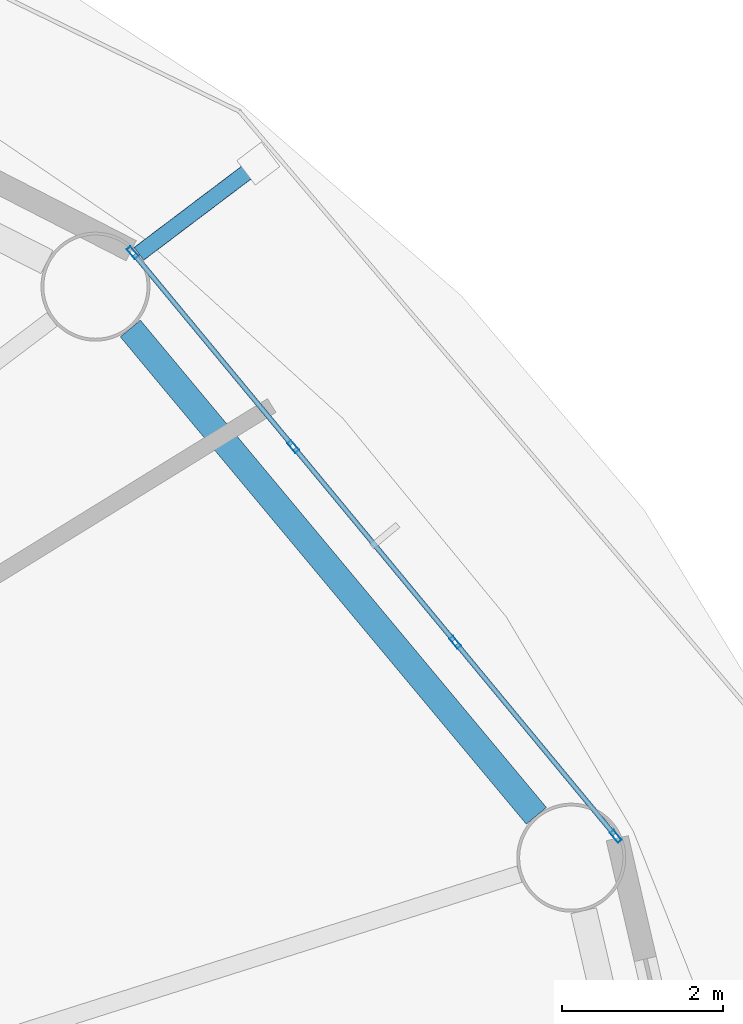
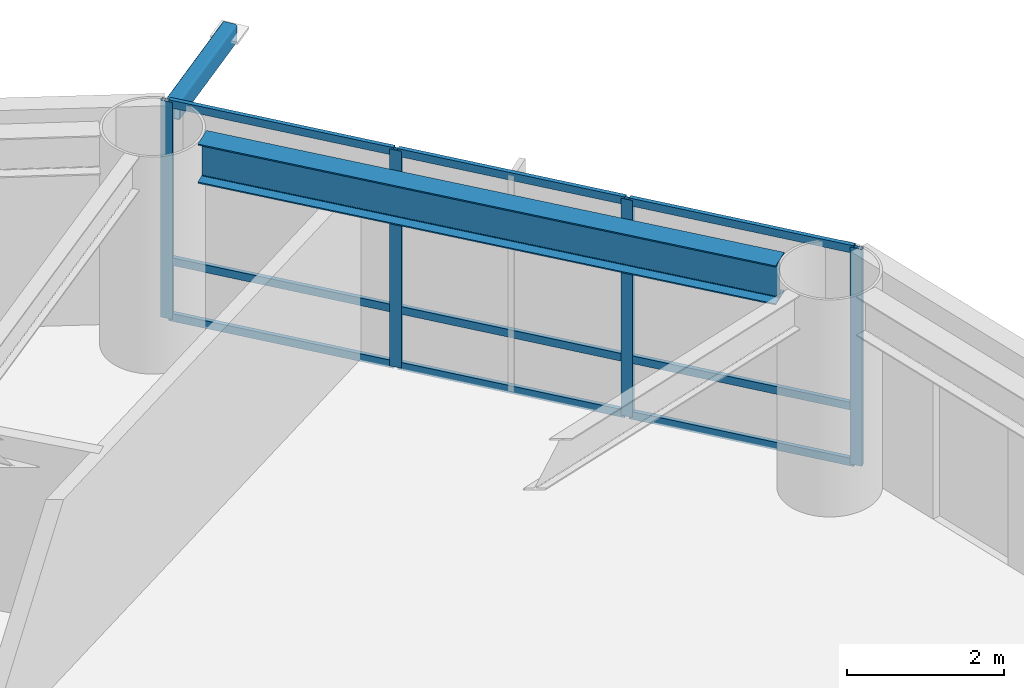
# One storey, part 12 of 24: 14 members, 1 beam, 1 element without a shape of its own.
"""IFC4 building model written with IfcOpenShell, lengths in metres."""

from ifc_helpers import new_model, si_unit, direction, frame, origin, origin_2d, place, context, subcontext, project, spatial, hollow_rectangle, i_section, extrude, material, layer, layer_set, material_profile, profile_set, type_object, element, aggregate, save


model = new_model("IFC4")

# Units and contexts
model_context = context("Model", 3, precision=1e-05, world=origin(), true_north=direction((0.0, 1.0)))
body_context = subcontext(model_context, "Body", "Model", "MODEL_VIEW")
ifc_project = project(units=[si_unit("LENGTHUNIT", "METRE"), si_unit("AREAUNIT", "SQUARE_METRE"), si_unit("VOLUMEUNIT", "CUBIC_METRE"), si_unit("PLANEANGLEUNIT", "RADIAN"), si_unit("MASSUNIT", "GRAM", prefix="KILO")], contexts=[model_context])

# Site, building, storey
site_placement = place(None, origin())
site = spatial("IfcSite", under=ifc_project, at=site_placement, CompositionType="ELEMENT")
building_placement = place(site_placement, origin())
building = spatial("IfcBuilding", under=site, at=building_placement, Name="Sarneth Arch Tower", CompositionType="ELEMENT")
storey_placement = place(building_placement, frame((0.0, 0.0, 87.60009765625)))
storey = spatial("IfcBuildingStorey", under=building, at=storey_placement, Name="L21", CompositionType="ELEMENT", Elevation=87.60009765625)

# Beam
ifc_material_1 = material(Name="Steel S355", Category="steel")
ifc_material_profile_1 = material_profile(ifc_material_1, i_section(OverallWidth=0.323974609375, OverallDepth=0.611083984375, WebThickness=0.0126953125, FlangeThickness=0.01904296875, FilletRadius=0.01904296875, at=origin_2d()), Name="W610x155")
ifc_profile_set_1 = profile_set([ifc_material_profile_1], Name="Steel S355")
beam_type = type_object("IfcBeamType", Name="BM-SPAN-610B", PredefinedType="SPANDREL", material=ifc_profile_set_1)
beam_placement = place(storey_placement, frame((73.859130859375, 50.861083984375, 3.074462890625), z_axis=(-0.640169116175, 0.768234015581, 0.0), x_axis=(-0.768234015581, -0.640169116175, 0.0)))
element("IfcBeam", 1, at=beam_placement, inside=storey, type_object=beam_type, Name="L21 Perimeter spandrel beam 02", PredefinedType="SPANDREL", context=body_context, shape_type="SweptSolid", body=[
    extrude(i_section(OverallWidth=0.323974609375, OverallDepth=0.611083984375, WebThickness=0.0126953125, FlangeThickness=0.01904296875, FilletRadius=0.01904296875, at=origin_2d()), origin(), (0.0, 0.0, 1.0), 7.856201171875),
])

# Curtain wall, members
ifc_material_2 = material(Name="Anodised aluminium Type AA25 and solar-control low-e laminated IGU", Category="aluminium")
ifc_layer = layer(ifc_material_2, 0.159912109375)
ifc_layer_set = layer_set([ifc_layer], Name="Anodised aluminium Type AA25 and solar-control low-e laminated IGU")
curtain_wall_type = type_object("IfcCurtainWallType", Name="CW-HOTEL-MID", PredefinedType="NOTDEFINED", material=ifc_layer_set)
curtain_wall_placement = place(storey_placement, origin())
curtain_wall = element("IfcCurtainWall", 2, at=curtain_wall_placement, inside=storey, type_object=curtain_wall_type, Name="L21 Unitised curtain wall facet 02", PredefinedType="NOTDEFINED")
ifc_material_3 = material(Name="Anodised Aluminium 6063-T6", Category="aluminium")
ifc_material_profile_2 = material_profile(ifc_material_3, hollow_rectangle(XDim=0.06005859375, YDim=0.159912109375, WallThickness=0.00390625, at=origin_2d()), Name="AL-MULL-160x60x4")
ifc_profile_set_2 = profile_set([ifc_material_profile_2], Name="Anodised Aluminium 6063-T6")
member_type_1 = type_object("IfcMemberType", Name="CW-MULLION", PredefinedType="MULLION", material=ifc_profile_set_2)
member_1_placement = place(storey_placement, frame((74.84228515625, 50.606689453125, 0.0), z_axis=(0.0, 0.0, 1.0), x_axis=(-0.770437787363, -0.637515188684, 0.0)))
member_1 = element("IfcMember", 3, at=member_1_placement, type_object=member_type_1, Name="CW-SYS-4 mullion 1", PredefinedType="MULLION", context=body_context, shape_type="SweptSolid", body=[
    extrude(hollow_rectangle(XDim=0.06005859375, YDim=0.159912109375, WallThickness=0.00390625, at=origin_2d()), origin(), (0.0, 0.0, 1.0), 3.3798828125),
])
member_2_placement = place(storey_placement, frame((72.854248046875, 53.00927734375, 0.0), z_axis=(0.0, 0.0, 1.0), x_axis=(-0.770437787363, -0.637515188684, 0.0)))
member_2 = element("IfcMember", 4, at=member_2_placement, type_object=member_type_1, Name="CW-SYS-4 mullion 2", PredefinedType="MULLION", context=body_context, shape_type="SweptSolid", body=[
    extrude(hollow_rectangle(XDim=0.06005859375, YDim=0.159912109375, WallThickness=0.00390625, at=origin_2d()), origin(), (0.0, 0.0, 1.0), 3.3798828125),
])
member_3_placement = place(storey_placement, frame((70.84716796875, 55.434814453125, 0.0), z_axis=(0.0, 0.0, 1.0), x_axis=(-0.770437787363, -0.637515188684, 0.0)))
member_3 = element("IfcMember", 5, at=member_3_placement, type_object=member_type_1, Name="CW-SYS-4 mullion 3", PredefinedType="MULLION", context=body_context, shape_type="SweptSolid", body=[
    extrude(hollow_rectangle(XDim=0.06005859375, YDim=0.159912109375, WallThickness=0.00390625, at=origin_2d()), origin(), (0.0, 0.0, 1.0), 3.3798828125),
])
member_4_placement = place(storey_placement, frame((68.859130859375, 57.83740234375, 0.0), z_axis=(0.0, 0.0, 1.0), x_axis=(-0.770437787363, -0.637515188684, 0.0)))
member_4 = element("IfcMember", 6, at=member_4_placement, type_object=member_type_1, Name="CW-SYS-4 mullion 4", PredefinedType="MULLION", context=body_context, shape_type="SweptSolid", body=[
    extrude(hollow_rectangle(XDim=0.06005859375, YDim=0.159912109375, WallThickness=0.00390625, at=origin_2d()), origin(), (0.0, 0.0, 1.0), 3.3798828125),
])
ifc_material_4 = material(Name="Anodised Aluminium 6063-T6", Category="aluminium")
ifc_material_profile_3 = material_profile(ifc_material_4, hollow_rectangle(XDim=0.06005859375, YDim=0.1201171875, WallThickness=0.00390625, at=origin_2d()), Name="AL-TRAN-120x60x4")
ifc_profile_set_3 = profile_set([ifc_material_profile_3], Name="Anodised Aluminium 6063-T6")
member_type_2 = type_object("IfcMemberType", Name="CW-TRANSOM", PredefinedType="USERDEFINED", material=ifc_profile_set_3)
member_5_placement = place(storey_placement, frame((74.8232421875, 50.6298828125, 0.02978515625), z_axis=(-0.637566080343, 0.770395673142, 0.0), x_axis=(-0.770395673142, -0.637566080343, 0.0)))
member_5 = element("IfcMember", 7, at=member_5_placement, type_object=member_type_2, Name="CW-SYS-4 transom 1.1", ObjectType="TRANSOM", PredefinedType="USERDEFINED", context=body_context, shape_type="SweptSolid", body=[
    extrude(hollow_rectangle(XDim=0.06005859375, YDim=0.1201171875, WallThickness=0.00390625, at=origin_2d()), origin(), (0.0, 0.0, 1.0), 3.058349609375),
])
member_6_placement = place(storey_placement, frame((74.8232421875, 50.6298828125, 0.89990234375), z_axis=(-0.637566080343, 0.770395673142, 0.0), x_axis=(-0.770395673142, -0.637566080343, 0.0)))
member_6 = element("IfcMember", 8, at=member_6_placement, type_object=member_type_2, Name="CW-SYS-4 transom 1.2", ObjectType="TRANSOM", PredefinedType="USERDEFINED", context=body_context, shape_type="SweptSolid", body=[
    extrude(hollow_rectangle(XDim=0.06005859375, YDim=0.1201171875, WallThickness=0.00390625, at=origin_2d()), origin(), (0.0, 0.0, 1.0), 3.058349609375),
])
member_7_placement = place(storey_placement, frame((74.8232421875, 50.6298828125, 3.349853515625), z_axis=(-0.637566080343, 0.770395673142, 0.0), x_axis=(-0.770395673142, -0.637566080343, 0.0)))
member_7 = element("IfcMember", 9, at=member_7_placement, type_object=member_type_2, Name="CW-SYS-4 transom 1.3", ObjectType="TRANSOM", PredefinedType="USERDEFINED", context=body_context, shape_type="SweptSolid", body=[
    extrude(hollow_rectangle(XDim=0.06005859375, YDim=0.1201171875, WallThickness=0.00390625, at=origin_2d()), origin(), (0.0, 0.0, 1.0), 3.058349609375),
])
member_8_placement = place(storey_placement, frame((72.835205078125, 53.0322265625, 0.02978515625), z_axis=(-0.637536975021, 0.770419759275, 0.0), x_axis=(-0.770419759275, -0.637536975021, 0.0)))
member_8 = element("IfcMember", 10, at=member_8_placement, type_object=member_type_2, Name="CW-SYS-4 transom 2.1", ObjectType="TRANSOM", PredefinedType="USERDEFINED", context=body_context, shape_type="SweptSolid", body=[
    extrude(hollow_rectangle(XDim=0.06005859375, YDim=0.1201171875, WallThickness=0.00390625, at=origin_2d()), origin(), (0.0, 0.0, 1.0), 3.08837890625),
])
member_9_placement = place(storey_placement, frame((72.835205078125, 53.0322265625, 0.89990234375), z_axis=(-0.637536975021, 0.770419759275, 0.0), x_axis=(-0.770419759275, -0.637536975021, 0.0)))
member_9 = element("IfcMember", 11, at=member_9_placement, type_object=member_type_2, Name="CW-SYS-4 transom 2.2", ObjectType="TRANSOM", PredefinedType="USERDEFINED", context=body_context, shape_type="SweptSolid", body=[
    extrude(hollow_rectangle(XDim=0.06005859375, YDim=0.1201171875, WallThickness=0.00390625, at=origin_2d()), origin(), (0.0, 0.0, 1.0), 3.08837890625),
])
member_10_placement = place(storey_placement, frame((72.835205078125, 53.0322265625, 3.349853515625), z_axis=(-0.637536975021, 0.770419759275, 0.0), x_axis=(-0.770419759275, -0.637536975021, 0.0)))
member_10 = element("IfcMember", 12, at=member_10_placement, type_object=member_type_2, Name="CW-SYS-4 transom 2.3", ObjectType="TRANSOM", PredefinedType="USERDEFINED", context=body_context, shape_type="SweptSolid", body=[
    extrude(hollow_rectangle(XDim=0.06005859375, YDim=0.1201171875, WallThickness=0.00390625, at=origin_2d()), origin(), (0.0, 0.0, 1.0), 3.08837890625),
])
member_11_placement = place(storey_placement, frame((70.828125, 55.4580078125, 0.02978515625), z_axis=(-0.637566080343, 0.770395673142, 0.0), x_axis=(-0.770395673142, -0.637566080343, 0.0)))
member_11 = element("IfcMember", 13, at=member_11_placement, type_object=member_type_2, Name="CW-SYS-4 transom 3.1", ObjectType="TRANSOM", PredefinedType="USERDEFINED", context=body_context, shape_type="SweptSolid", body=[
    extrude(hollow_rectangle(XDim=0.06005859375, YDim=0.1201171875, WallThickness=0.00390625, at=origin_2d()), origin(), (0.0, 0.0, 1.0), 3.058349609375),
])
member_12_placement = place(storey_placement, frame((70.828125, 55.4580078125, 0.89990234375), z_axis=(-0.637566080343, 0.770395673142, 0.0), x_axis=(-0.770395673142, -0.637566080343, 0.0)))
member_12 = element("IfcMember", 14, at=member_12_placement, type_object=member_type_2, Name="CW-SYS-4 transom 3.2", ObjectType="TRANSOM", PredefinedType="USERDEFINED", context=body_context, shape_type="SweptSolid", body=[
    extrude(hollow_rectangle(XDim=0.06005859375, YDim=0.1201171875, WallThickness=0.00390625, at=origin_2d()), origin(), (0.0, 0.0, 1.0), 3.058349609375),
])
member_13_placement = place(storey_placement, frame((70.828125, 55.4580078125, 3.349853515625), z_axis=(-0.637566080343, 0.770395673142, 0.0), x_axis=(-0.770395673142, -0.637566080343, 0.0)))
member_13 = element("IfcMember", 15, at=member_13_placement, type_object=member_type_2, Name="CW-SYS-4 transom 3.3", ObjectType="TRANSOM", PredefinedType="USERDEFINED", context=body_context, shape_type="SweptSolid", body=[
    extrude(hollow_rectangle(XDim=0.06005859375, YDim=0.1201171875, WallThickness=0.00390625, at=origin_2d()), origin(), (0.0, 0.0, 1.0), 3.058349609375),
])
aggregate(curtain_wall, [member_1, member_2, member_3, member_4, member_5, member_6, member_7, member_8, member_9, member_10, member_11, member_12, member_13])

# Member
ifc_material_5 = material(Name="Steel S355", Category="steel")
ifc_material_profile_4 = material_profile(ifc_material_5, hollow_rectangle(XDim=0.199951171875, YDim=0.300048828125, WallThickness=0.012451171875, InnerFilletRadius=0.018798828125, OuterFilletRadius=0.03125, at=origin_2d()), Name="RHS300x200x12.5")
ifc_profile_set_4 = profile_set([ifc_material_profile_4], Name="Steel S355")
member_type_3 = type_object("IfcMemberType", Name="MEM-CANT-STRUT", PredefinedType="STRUT", material=ifc_profile_set_4)
member_14_placement = place(storey_placement, frame((68.936279296875, 57.822021484375, 3.219970703125), z_axis=(0.797829309399, 0.602883399227, 0.0), x_axis=(-0.602883399227, 0.797829309399, 0.0)))
element("IfcMember", 16, at=member_14_placement, inside=storey, type_object=member_type_3, Name="L21 Balcony cantilever bracket 03", PredefinedType="STRUT", context=body_context, shape_type="SweptSolid", body=[
    extrude(hollow_rectangle(XDim=0.199951171875, YDim=0.300048828125, WallThickness=0.012451171875, InnerFilletRadius=0.018798828125, OuterFilletRadius=0.03125, at=origin_2d()), origin(), (0.0, 0.0, 1.0), 1.853515625),
])

save(model, "model.ifc")
